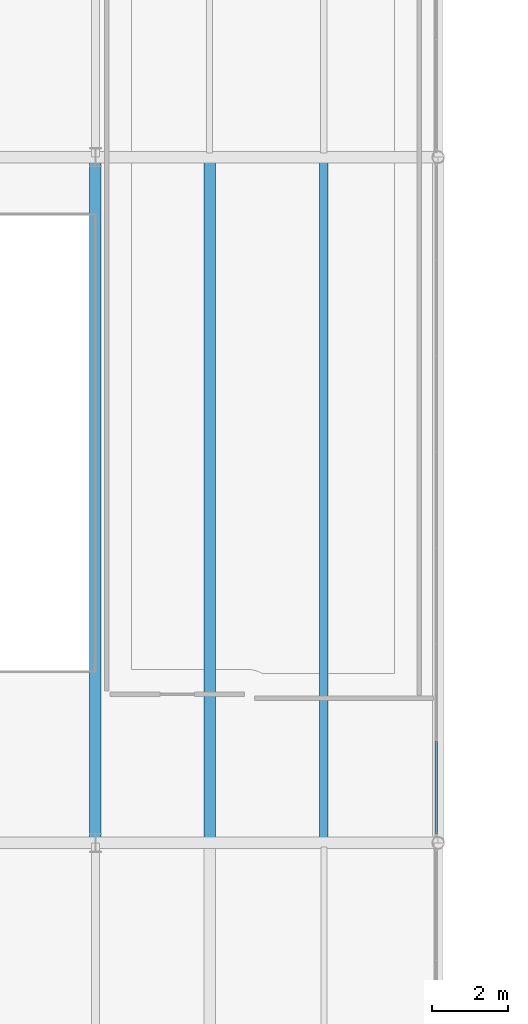
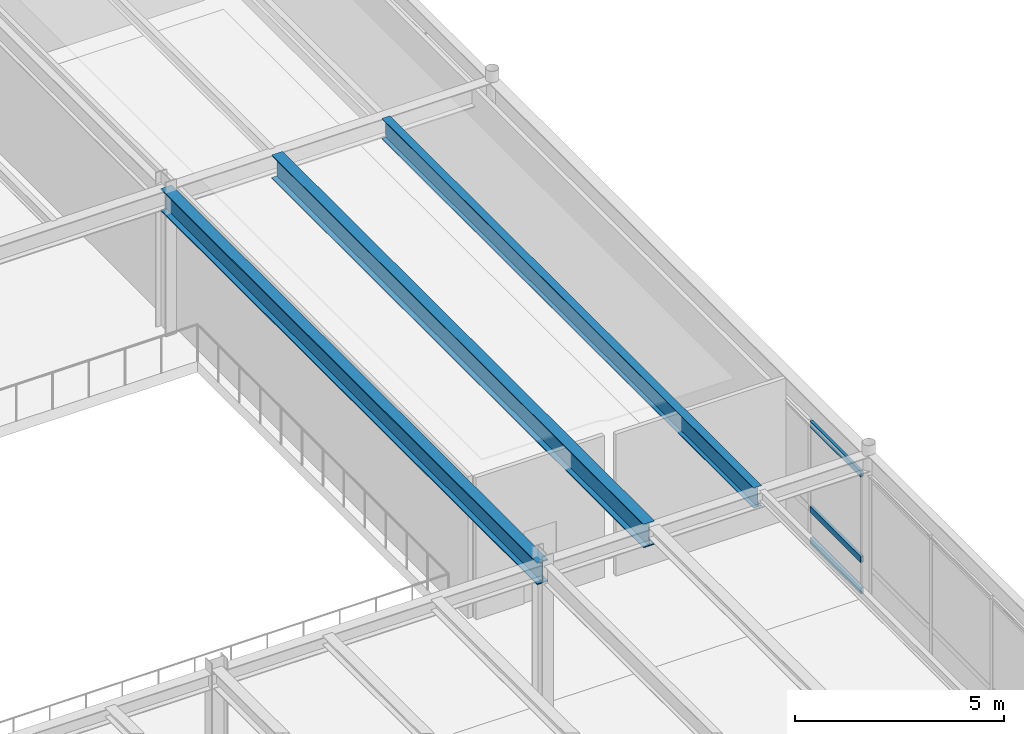
# One storey, part 68 of 127: 3 beams, 3 members, 1 element without a shape of its own.
"""IFC4 building model written with IfcOpenShell, lengths in metres."""

from ifc_helpers import new_model, si_unit, direction, frame, origin, origin_2d, place, context, subcontext, project, spatial, hollow_rectangle, i_section, extrude, material, layer, layer_set, material_profile, profile_set, type_object, element, aggregate, save


model = new_model("IFC4")

# Units and contexts
model_context = context("Model", 3, precision=1e-05, world=origin(), true_north=direction((0.0, 1.0)))
body_context = subcontext(model_context, "Body", "Model", "MODEL_VIEW")
ifc_project = project(units=[si_unit("LENGTHUNIT", "METRE"), si_unit("AREAUNIT", "SQUARE_METRE"), si_unit("VOLUMEUNIT", "CUBIC_METRE"), si_unit("PLANEANGLEUNIT", "RADIAN"), si_unit("MASSUNIT", "GRAM", prefix="KILO")], contexts=[model_context])

# Site, building, storey
site_placement = place(None, origin())
site = spatial("IfcSite", under=ifc_project, at=site_placement, CompositionType="ELEMENT")
building_placement = place(site_placement, origin())
building = spatial("IfcBuilding", under=site, at=building_placement, Name="Montelvaro Courts of Justice", CompositionType="ELEMENT")
storey_placement = place(building_placement, frame((0.0, 0.0, 5.39990234375)))
storey = spatial("IfcBuildingStorey", under=building, at=storey_placement, Name="L01", CompositionType="ELEMENT", Elevation=5.39990234375)

# Beams
ifc_material_1 = material(Name="Steel S355", Category="steel")
ifc_material_profile_1 = material_profile(ifc_material_1, i_section(OverallWidth=0.300048828125, OverallDepth=0.68994140625, WebThickness=0.014404296875, FlangeThickness=0.027099609375, at=origin_2d()), Name="HEA 700")
ifc_profile_set_1 = profile_set([ifc_material_profile_1], Name="Steel S355")
beam_type_1 = type_object("IfcBeamType", Name="Beam_HEA700", PredefinedType="USERDEFINED", material=ifc_profile_set_1)
beam_1_placement = place(storey_placement, frame((75.0, 78.110107421875, 3.835205078125), z_axis=(0.0, 1.0, 0.0), x_axis=(-1.0, 0.0, 0.0)))
element("IfcBeam", 1, at=beam_1_placement, inside=storey, type_object=beam_type_1, Name="Beam B-23 L01", ObjectType="GIRDER", PredefinedType="USERDEFINED", context=body_context, shape_type="SweptSolid", body=[
    extrude(i_section(OverallWidth=0.300048828125, OverallDepth=0.68994140625, WebThickness=0.014404296875, FlangeThickness=0.027099609375, at=origin_2d()), origin(), (0.0, 0.0, 1.0), 17.77978515625),
])
ifc_material_profile_2 = material_profile(ifc_material_1, i_section(OverallWidth=0.300048828125, OverallDepth=0.64990234375, WebThickness=0.01611328125, FlangeThickness=0.031005859375, at=origin_2d()), Name="HEB 650")
ifc_profile_set_2 = profile_set([ifc_material_profile_2], Name="Steel S355")
beam_type_2 = type_object("IfcBeamType", Name="Beam_HEB650", PredefinedType="USERDEFINED", material=ifc_profile_set_2)
beam_2_placement = place(storey_placement, frame((72.0, 78.0, 3.85498046875), z_axis=(0.0, 1.0, 0.0), x_axis=(-1.0, 0.0, 0.0)))
element("IfcBeam", 2, at=beam_2_placement, inside=storey, type_object=beam_type_2, Name="Beam B-27 L01", ObjectType="GIRDER", PredefinedType="USERDEFINED", context=body_context, shape_type="SweptSolid", body=[
    extrude(i_section(OverallWidth=0.300048828125, OverallDepth=0.64990234375, WebThickness=0.01611328125, FlangeThickness=0.031005859375, at=origin_2d()), origin(), (0.0, 0.0, 1.0), 18.0),
])
ifc_material_profile_3 = material_profile(ifc_material_1, i_section(OverallWidth=0.219970703125, OverallDepth=0.60009765625, WebThickness=0.011962890625, FlangeThickness=0.01904296875, at=origin_2d()), Name="IPE 600")
ifc_profile_set_3 = profile_set([ifc_material_profile_3], Name="Steel S355")
beam_type_3 = type_object("IfcBeamType", Name="Beam_IPE600", PredefinedType="USERDEFINED", material=ifc_profile_set_3)
beam_3_placement = place(storey_placement, frame((78.0, 78.110107421875, 3.880126953125), z_axis=(0.0, 1.0, 0.0), x_axis=(-1.0, 0.0, 0.0)))
element("IfcBeam", 3, at=beam_3_placement, inside=storey, type_object=beam_type_3, Name="Beam B-12 L01", ObjectType="GIRDER", PredefinedType="USERDEFINED", context=body_context, shape_type="SweptSolid", body=[
    extrude(i_section(OverallWidth=0.219970703125, OverallDepth=0.60009765625, WebThickness=0.011962890625, FlangeThickness=0.01904296875, at=origin_2d()), origin(), (0.0, 0.0, 1.0), 17.77978515625),
])

# Curtain wall, members
ifc_material_2 = material(Name="Anodised aluminium EN AW-6063", Category="aluminium")
ifc_layer = layer(ifc_material_2, 0.159912109375)
ifc_layer_set = layer_set([ifc_layer], Name="Anodised aluminium EN AW-6063")
curtain_wall_type = type_object("IfcCurtainWallType", Name="CurtainWall_15_1765x418", PredefinedType="USERDEFINED", material=ifc_layer_set)
curtain_wall_placement = place(storey_placement, origin())
curtain_wall = element("IfcCurtainWall", 4, at=curtain_wall_placement, inside=storey, type_object=curtain_wall_type, Name="Curtain Wall CW-15 (L01)", ObjectType="CURTAIN WALL", PredefinedType="USERDEFINED")
ifc_material_profile_4 = material_profile(ifc_material_2, hollow_rectangle(XDim=0.074951171875, YDim=0.179931640625, WallThickness=0.0048828125, at=origin_2d()), Name="ALU-T 75x180")
ifc_profile_set_4 = profile_set([ifc_material_profile_4], Name="Anodised aluminium EN AW-6063")
member_type = type_object("IfcMemberType", Name="CurtainWall_Transom_75x180", PredefinedType="USERDEFINED", material=ifc_profile_set_4)
member_1_placement = place(storey_placement, frame((80.949951171875, 78.237060546875, 0.03759765625), z_axis=(0.0, 1.0, 0.0), x_axis=(-1.0, 0.0, 0.0)))
member_1 = element("IfcMember", 5, at=member_1_placement, type_object=member_type, Name="CW-15 transom 1.1", ObjectType="TRANSOM", PredefinedType="USERDEFINED", context=body_context, shape_type="SweptSolid", body=[
    extrude(hollow_rectangle(XDim=0.074951171875, YDim=0.179931640625, WallThickness=0.0048828125, at=origin_2d()), origin(), (0.0, 0.0, 1.0), 2.430908203125),
])
member_2_placement = place(storey_placement, frame((80.949951171875, 78.237060546875, 0.9501953125), z_axis=(0.0, 1.0, 0.0), x_axis=(-1.0, 0.0, 0.0)))
member_2 = element("IfcMember", 6, at=member_2_placement, type_object=member_type, Name="CW-15 transom 1.2", ObjectType="TRANSOM", PredefinedType="USERDEFINED", context=body_context, shape_type="SweptSolid", body=[
    extrude(hollow_rectangle(XDim=0.074951171875, YDim=0.179931640625, WallThickness=0.0048828125, at=origin_2d()), origin(), (0.0, 0.0, 1.0), 2.430908203125),
])
member_3_placement = place(storey_placement, frame((80.949951171875, 78.237060546875, 3.4375), z_axis=(0.0, 1.0, 0.0), x_axis=(-1.0, 0.0, 0.0)))
member_3 = element("IfcMember", 7, at=member_3_placement, type_object=member_type, Name="CW-15 transom 1.3", ObjectType="TRANSOM", PredefinedType="USERDEFINED", context=body_context, shape_type="SweptSolid", body=[
    extrude(hollow_rectangle(XDim=0.074951171875, YDim=0.179931640625, WallThickness=0.0048828125, at=origin_2d()), origin(), (0.0, 0.0, 1.0), 2.430908203125),
])
aggregate(curtain_wall, [member_1, member_2, member_3])

save(model, "model.ifc")
